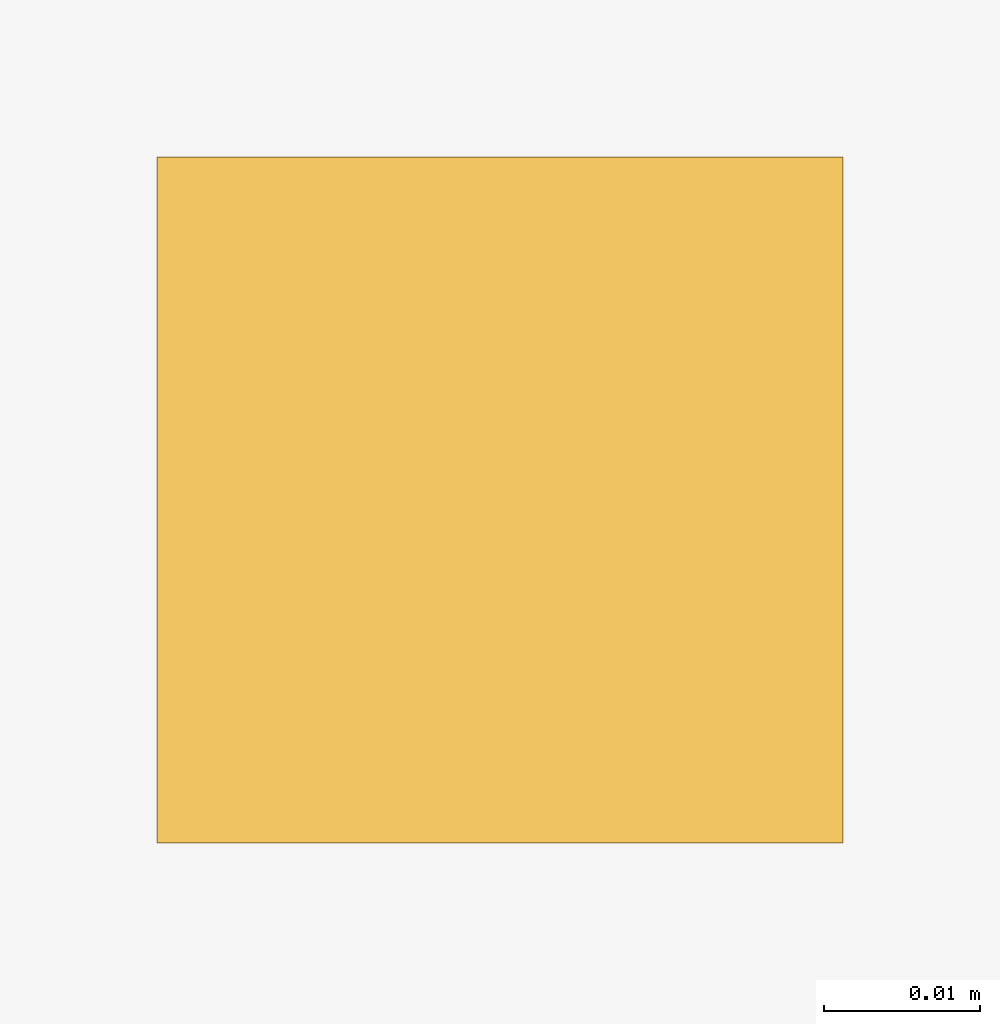
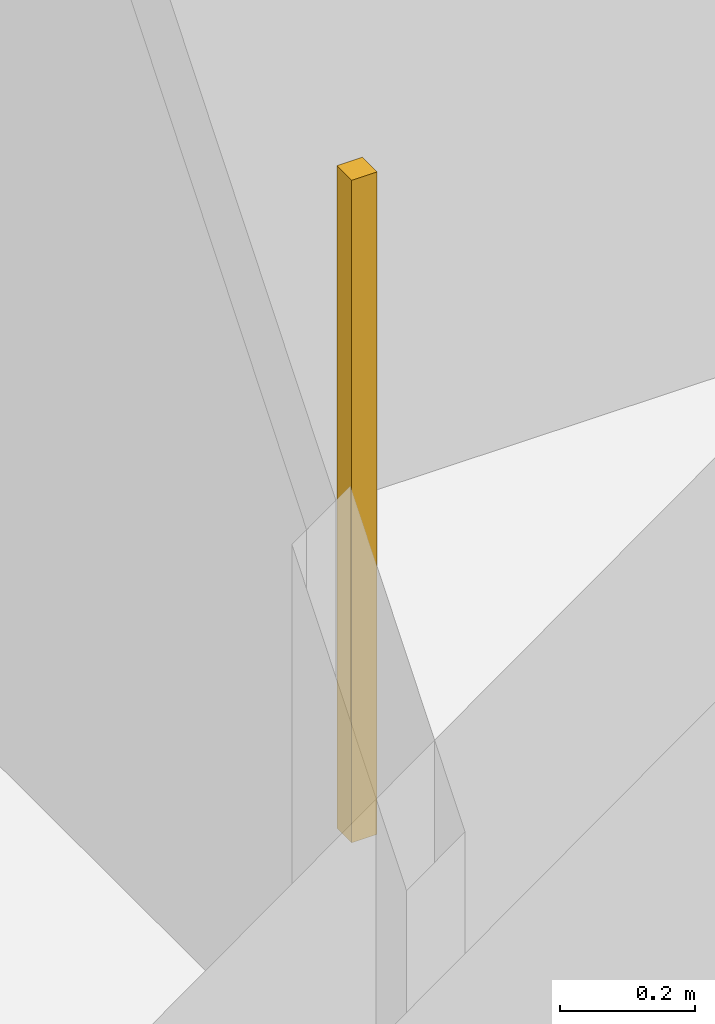
# One storey, part 8 of 10: 1 railing.
"""IFC4 building model written with IfcOpenShell, lengths in metres."""

from ifc_helpers import new_model, si_unit, direction, frame, origin, origin_2d, place, context, subcontext, project, spatial, rectangle, extrude, material, type_object, element, save


model = new_model("IFC4")

# Units and contexts
model_context = context("Model", 3, precision=1e-05, world=origin(), true_north=direction((0.0, 1.0)))
body_context = subcontext(model_context, "Body", "Model", "MODEL_VIEW")
ifc_project = project(units=[si_unit("LENGTHUNIT", "METRE"), si_unit("AREAUNIT", "SQUARE_METRE"), si_unit("VOLUMEUNIT", "CUBIC_METRE"), si_unit("PLANEANGLEUNIT", "RADIAN"), si_unit("MASSUNIT", "GRAM", prefix="KILO")], contexts=[model_context])

# Site, building, storey
site_placement = place(None, origin())
site = spatial("IfcSite", under=ifc_project, at=site_placement, CompositionType="ELEMENT")
building_placement = place(site_placement, origin())
building = spatial("IfcBuilding", under=site, at=building_placement, Name="Yunling Apex Tower", CompositionType="ELEMENT")
storey_placement = place(building_placement, frame((0.0, 0.0, 303.64990234375)))
storey = spatial("IfcBuildingStorey", under=building, at=storey_placement, Name="L74", CompositionType="ELEMENT", Elevation=303.64990234375)

# Railing
ifc_material = material(Name="Bronze anodised aluminium", Category="aluminium")
railing_type = type_object("IfcRailingType", Name="RL-BAL-1200", PredefinedType="BALUSTRADE", material=ifc_material)
railing_placement = place(storey_placement, origin())
element("IfcRailing", 1, at=railing_placement, inside=storey, type_object=railing_type, Name="RL-TATR-L74", PredefinedType="BALUSTRADE", context=body_context, shape_type="SweptSolid", body=[
    extrude(rectangle(XDim=0.0439453125, YDim=0.0439453125, at=origin_2d()), origin(), (0.0, 0.0, 1.0), 1.199951171875),
])

save(model, "model.ifc")
